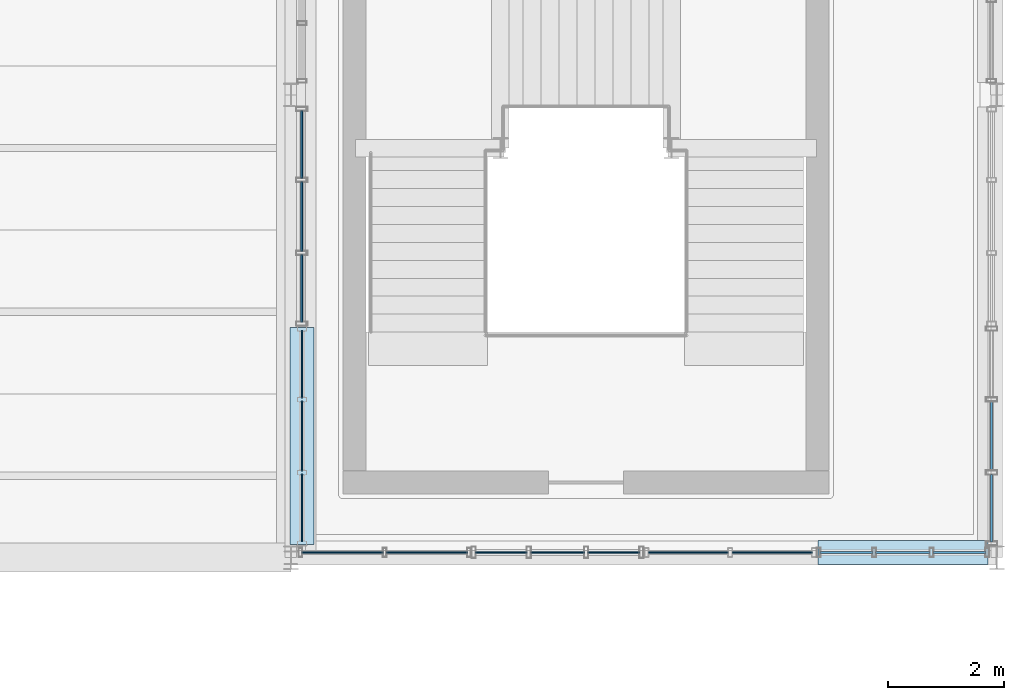
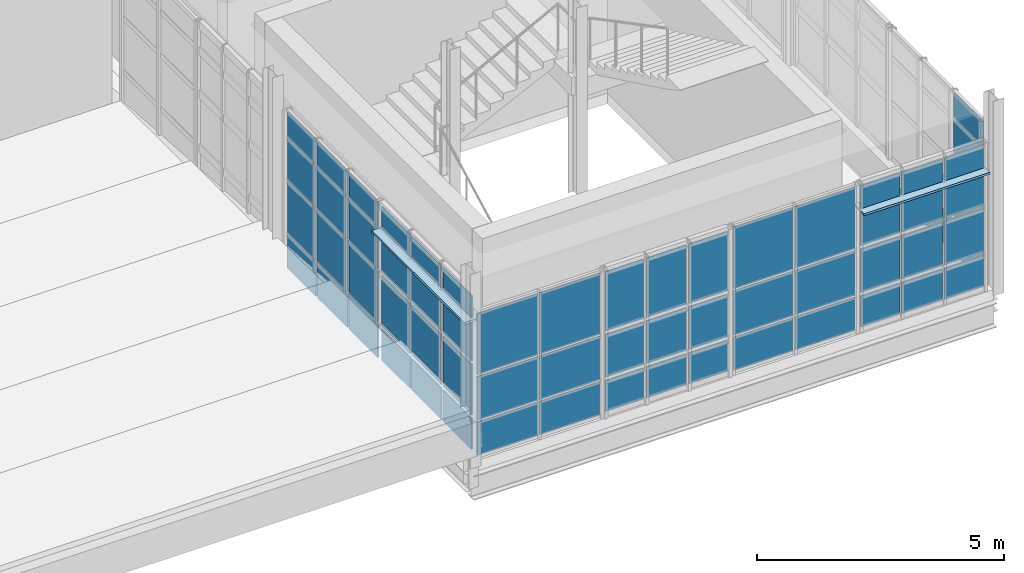
# One storey, part 74 of 100: 61 plates, 7 elements without a shape of their own.
"""IFC4 building model written with IfcOpenShell, lengths in metres."""

import ifcopenshell
import ifcopenshell.guid

model = None  # the IFC model being written
_history = None  # IfcOwnerHistory: only IFC2X3 demands one
_inside = {}  # id of a spatial element -> (the spatial element, [elements in it])
_under = {}  # id of a project, library or spatial element -> (it, [spatial elements below it])
_declared = {}  # id of a project -> (the project, [libraries it declares])
_typed = {}  # id of a type object -> (the type object, [elements of that type])
_made_of = {}  # id of a material, layer set ... -> (it, [elements and type objects made of it])


def new_model(schema):
    """Start an empty IFC model of exactly this schema.

    Asked for "IFC4X3", IfcOpenShell would pick the latest addendum, in which some entities
    have other attributes; the version numbers below select the first issue.
    IFC2X3 requires an IfcOwnerHistory on every rooted entity: one is made here for all.
    """
    global model, _history
    if schema == "IFC4X3":
        model = ifcopenshell.file(schema_version=(4, 3, 0, 0))
    else:
        model = ifcopenshell.file(schema=schema)
    _inside.clear()
    _under.clear()
    _declared.clear()
    _typed.clear()
    _made_of.clear()
    _history = None
    if model.schema == "IFC2X3":
        org = make("IfcOrganization", Name="unknown")
        user = make(
            "IfcPersonAndOrganization",
            ThePerson=make("IfcPerson", FamilyName="unknown"),
            TheOrganization=org,
        )
        app = make(
            "IfcApplication",
            ApplicationDeveloper=org,
            Version="unknown",
            ApplicationFullName="unknown",
            ApplicationIdentifier="unknown",
        )
        _history = make(
            "IfcOwnerHistory",
            OwningUser=user,
            OwningApplication=app,
            ChangeAction="ADDED",
            CreationDate=0,
        )
    return model


def make(cls, **values):
    """One entity of the class cls with the attributes given. An attribute that is None is left unset."""
    return model.create_entity(
        cls, **{name: value for name, value in values.items() if value is not None}
    )


def rooted(cls, **values):
    """An entity with a GlobalId (a new one), such as an element, a storey or a relation."""
    return make(cls, GlobalId=ifcopenshell.guid.new(), OwnerHistory=_history, **values)


def si_unit(unit_type, name, prefix=None):
    """IfcSIUnit, for example si_unit("LENGTHUNIT", "METRE", prefix="MILLI")."""
    return make("IfcSIUnit", UnitType=unit_type, Prefix=prefix, Name=name)


def derived_unit(unit_type, elements):
    """IfcDerivedUnit: a product of units, each with its exponent."""
    return make(
        "IfcDerivedUnit",
        Elements=[
            make("IfcDerivedUnitElement", Unit=unit, Exponent=power)
            for unit, power in elements
        ],
        UnitType=unit_type,
    )


def assignment(units):
    """IfcUnitAssignment: the units of a project."""
    return None if units is None else make("IfcUnitAssignment", Units=units)


def point(xyz):
    """IfcCartesianPoint."""
    return None if xyz is None else make("IfcCartesianPoint", Coordinates=xyz)


def direction(xyz):
    """IfcDirection."""
    return None if xyz is None else make("IfcDirection", DirectionRatios=xyz)


def frame(location, z_axis=None, x_axis=None):
    """IfcAxis2Placement3D, a coordinate frame: its origin and axes. An axis left out is left unset."""
    return make(
        "IfcAxis2Placement3D",
        Location=point(location),
        Axis=direction(z_axis),
        RefDirection=direction(x_axis),
    )


def frame_2d(location, x_axis=None):
    """IfcAxis2Placement2D, a coordinate frame in the plane: its origin and x axis."""
    return make(
        "IfcAxis2Placement2D", Location=point(location), RefDirection=direction(x_axis)
    )


def origin():
    """The frame at (0, 0, 0) with its axes left unset."""
    return frame((0.0, 0.0, 0.0))


def origin_2d():
    """The frame at (0, 0) in the plane with its x axis left unset."""
    return frame_2d((0.0, 0.0))


def place(relative_to, where):
    """IfcLocalPlacement: puts the frame where relative to a parent placement (None: the world)."""
    return make(
        "IfcLocalPlacement", PlacementRelTo=relative_to, RelativePlacement=where
    )


def context(
    kind, dimensions, precision=None, world=None, true_north=None, identifier=None
):
    """IfcGeometricRepresentationContext, for example the 3D "Model" context."""
    return make(
        "IfcGeometricRepresentationContext",
        ContextIdentifier=identifier,
        ContextType=kind,
        CoordinateSpaceDimension=dimensions,
        Precision=precision,
        WorldCoordinateSystem=world,
        TrueNorth=true_north,
    )


def subcontext(parent, identifier, kind, view, scale=None):
    """IfcGeometricRepresentationSubContext, for example "Body" below "Model"."""
    return make(
        "IfcGeometricRepresentationSubContext",
        ContextIdentifier=identifier,
        ContextType=kind,
        ParentContext=parent,
        TargetScale=scale,
        TargetView=view,
    )


def project(units=None, contexts=None):
    """IfcProject with its units and contexts."""
    return rooted(
        "IfcProject",
        Name="project",
        RepresentationContexts=contexts,
        UnitsInContext=assignment(units),
    )


def spatial(cls, under=None, at=None, **own):
    """A site, building, storey or space (cls), placed at a placement, below another one or the project."""
    s = rooted(cls, ObjectPlacement=at, **own)
    if under is not None:
        _under.setdefault(under.id(), (under, []))[1].append(s)
    return s


def profile(cls, at=None, kind="AREA", **sizes):
    """A parametric profile (cls). Its sizes go by their IFC names, for example OverallWidth=200.0."""
    return make(cls, ProfileType=kind, Position=at, **sizes)


def rectangle(**sizes):
    """IfcRectangleProfileDef."""
    return profile("IfcRectangleProfileDef", **sizes)


def extrude(swept, where, along, depth):
    """IfcExtrudedAreaSolid: the profile swept, set in the frame where, extruded along a direction by depth."""
    return make(
        "IfcExtrudedAreaSolid",
        SweptArea=swept,
        Position=where,
        ExtrudedDirection=direction(along),
        Depth=depth,
    )


def shape(context_of_items, identifier, shape_type, items):
    """IfcShapeRepresentation: the items that make up one representation, for example the "Body"."""
    return make(
        "IfcShapeRepresentation",
        ContextOfItems=context_of_items,
        RepresentationIdentifier=identifier,
        RepresentationType=shape_type,
        Items=items,
    )


def material(Name=None, Category=None):
    """IfcMaterial."""
    return make("IfcMaterial", Name=Name, Category=Category)


def layer(
    of_material, thickness, ventilated=None, Name=None, Category=None, Priority=None
):
    """IfcMaterialLayer: one layer of a wall or slab, of a material (None: an air gap)."""
    return make(
        "IfcMaterialLayer",
        Material=of_material,
        LayerThickness=thickness,
        IsVentilated=ventilated,
        Name=Name,
        Category=Category,
        Priority=Priority,
    )


def layer_set(layers, Name=None):
    """IfcMaterialLayerSet."""
    return make("IfcMaterialLayerSet", MaterialLayers=layers, LayerSetName=Name)


def made_of(thing, what):
    """Note that an element or type object is made of a material, layer set ...; save() writes the relation."""
    if what is not None:
        _made_of.setdefault(what.id(), (what, []))[1].append(thing)
    return thing


def type_object(cls, material=None, **own):
    """A type object (cls), such as IfcWallType, which elements share."""
    return made_of(rooted(cls, **own), material)


def element(
    cls,
    number,
    at=None,
    inside=None,
    cuts=None,
    type_object=None,
    material=None,
    context=None,
    identifier="Body",
    shape_type=None,
    held_by="IfcProductDefinitionShape",
    body=None,
    shapes=None,
    **own,
):
    """One element of the class cls, such as IfcWall. Its Tag is "e" and its number.

    at: its placement. inside: the storey or other place that contains it. cuts: it is an
    opening in that element (IfcRelVoidsElement). A single representation is given by context,
    identifier, shape_type and body (its items); several are given by shapes. held_by: the class
    of the entity that holds the representations. save() writes the other relations.
    """
    e = rooted(cls, Tag="e%d" % number, ObjectPlacement=at, **own)
    if body is not None:
        shapes = [shape(context, identifier, shape_type, body)]
    if shapes is not None:
        e.Representation = make(held_by, Representations=shapes)
    if inside is not None:
        _inside.setdefault(inside.id(), (inside, []))[1].append(e)
    if cuts is not None:
        rooted(
            "IfcRelVoidsElement", RelatingBuildingElement=cuts, RelatedOpeningElement=e
        )
    if type_object is not None:
        _typed.setdefault(type_object.id(), (type_object, []))[1].append(e)
    return made_of(e, material)


def aggregate(whole, parts):
    """IfcRelAggregates: a whole, such as a stair, and the parts it consists of."""
    return rooted("IfcRelAggregates", RelatingObject=whole, RelatedObjects=parts)


def save(model, path):
    """Write the relations noted so far, then the file.

    IfcRelAggregates (storeys below a building ...), IfcRelContainedInSpatialStructure (elements
    in a storey), IfcRelDefinesByType, IfcRelAssociatesMaterial and IfcRelDeclares: one each for
    every whole, place, type object, material and project.
    """
    for whole, parts in _under.values():
        aggregate(whole, parts)
    for where, things in _inside.values():
        rooted(
            "IfcRelContainedInSpatialStructure",
            RelatedElements=things,
            RelatingStructure=where,
        )
    for kind, things in _typed.values():
        rooted("IfcRelDefinesByType", RelatedObjects=things, RelatingType=kind)
    for what, things in _made_of.values():
        rooted("IfcRelAssociatesMaterial", RelatedObjects=things, RelatingMaterial=what)
    for by, libraries in _declared.values():
        rooted("IfcRelDeclares", RelatingContext=by, RelatedDefinitions=libraries)
    model.write(path)


model = new_model("IFC4")

# Units and contexts
model_context = context("Model", 3, precision=1e-05, world=origin(), true_north=direction((0.0, 1.0)))
body_context = subcontext(model_context, "Body", "Model", "MODEL_VIEW")
ifc_project = project(units=[si_unit("LENGTHUNIT", "METRE"), si_unit("AREAUNIT", "SQUARE_METRE"), si_unit("VOLUMEUNIT", "CUBIC_METRE"), si_unit("PLANEANGLEUNIT", "RADIAN"), si_unit("MASSUNIT", "GRAM", prefix="KILO"), derived_unit("THERMALTRANSMITTANCEUNIT", [(si_unit("POWERUNIT", "WATT"), 1), (si_unit("LENGTHUNIT", "METRE"), -2), (si_unit("THERMODYNAMICTEMPERATUREUNIT", "KELVIN"), -1)])], contexts=[model_context])

# Site, building, storey
site_placement = place(None, origin())
site = spatial("IfcSite", under=ifc_project, at=site_placement, CompositionType="ELEMENT")
building_placement = place(site_placement, origin())
building = spatial("IfcBuilding", under=site, at=building_placement, Name="Nallur Shell Playhouse", CompositionType="ELEMENT")
storey_placement = place(building_placement, frame((0.0, 0.0, 10.199951171875)))
storey = spatial("IfcBuildingStorey", under=building, at=storey_placement, Name="L03", CompositionType="ELEMENT", Elevation=10.199951171875)

# Curtain wall, plates
ifc_material_1 = material(Name="Anodised Aluminium Double-Glazed Facade System", Category="aluminium")
ifc_layer_1 = layer(ifc_material_1, 0.1640625)
ifc_layer_set_1 = layer_set([ifc_layer_1], Name="Anodised Aluminium Double-Glazed Facade System")
curtain_wall_type_1 = type_object("IfcCurtainWallType", Name="CW-UNIT-25", PredefinedType="NOTDEFINED", material=ifc_layer_set_1)
curtain_wall_1_placement = place(storey_placement, origin())
curtain_wall_1 = element("IfcCurtainWall", 1, at=curtain_wall_1_placement, inside=storey, type_object=curtain_wall_type_1, Name="Unitised curtain wall CW-089 (L03)", PredefinedType="NOTDEFINED")
ifc_material_2 = material(Name="Solar-Control Low-E Laminated Insulating Glass", Category="glass")
ifc_layer_2 = layer(ifc_material_2, 0.02587890625)
ifc_layer_set_2 = layer_set([ifc_layer_2], Name="Solar-Control Low-E Laminated Insulating Glass")
plate_type_1 = type_object("IfcPlateType", Name="PT-GLZ-01", PredefinedType="CURTAIN_PANEL", material=ifc_layer_set_2)
plate_1_placement = place(storey_placement, frame((155.9150390625, 24.090087890625, 0.05712890625), z_axis=(0.0, 0.0, 1.0), x_axis=(-1.0, 0.0, 0.0)))
plate_1 = element("IfcPlate", 2, at=plate_1_placement, type_object=plate_type_1, Name="CW-25 panel 1.1", PredefinedType="CURTAIN_PANEL", context=body_context, shape_type="SweptSolid", body=[
    extrude(rectangle(XDim=1.3828125, YDim=0.02587890625, at=origin_2d()), origin(), (0.0, 0.0, 1.0), 0.818603515625),
])
plate_2_placement = place(storey_placement, frame((155.9150390625, 24.090087890625, 0.9248046875), z_axis=(0.0, 0.0, 1.0), x_axis=(-1.0, 0.0, 0.0)))
plate_2 = element("IfcPlate", 3, at=plate_2_placement, type_object=plate_type_1, Name="CW-25 panel 1.2", PredefinedType="CURTAIN_PANEL", context=body_context, shape_type="SweptSolid", body=[
    extrude(rectangle(XDim=1.3828125, YDim=0.02587890625, at=origin_2d()), origin(), (0.0, 0.0, 1.0), 1.097900390625),
])
plate_3_placement = place(storey_placement, frame((155.9150390625, 24.090087890625, 2.0712890625), z_axis=(0.0, 0.0, 1.0), x_axis=(-1.0, 0.0, 0.0)))
plate_3 = element("IfcPlate", 4, at=plate_3_placement, type_object=plate_type_1, Name="CW-25 panel 1.3", PredefinedType="CURTAIN_PANEL", context=body_context, shape_type="SweptSolid", body=[
    extrude(rectangle(XDim=1.3828125, YDim=0.02587890625, at=origin_2d()), origin(), (0.0, 0.0, 1.0), 1.526611328125),
])
plate_4_placement = place(storey_placement, frame((154.46826171875, 24.090087890625, 0.05712890625), z_axis=(0.0, 0.0, 1.0), x_axis=(-1.0, 0.0, 0.0)))
plate_4 = element("IfcPlate", 5, at=plate_4_placement, type_object=plate_type_1, Name="CW-25 panel 2.1", PredefinedType="CURTAIN_PANEL", context=body_context, shape_type="SweptSolid", body=[
    extrude(rectangle(XDim=1.3828125, YDim=0.02587890625, at=origin_2d()), origin(), (0.0, 0.0, 1.0), 0.818603515625),
])
plate_5_placement = place(storey_placement, frame((154.46826171875, 24.090087890625, 0.9248046875), z_axis=(0.0, 0.0, 1.0), x_axis=(-1.0, 0.0, 0.0)))
plate_5 = element("IfcPlate", 6, at=plate_5_placement, type_object=plate_type_1, Name="CW-25 panel 2.2", PredefinedType="CURTAIN_PANEL", context=body_context, shape_type="SweptSolid", body=[
    extrude(rectangle(XDim=1.3828125, YDim=0.02587890625, at=origin_2d()), origin(), (0.0, 0.0, 1.0), 1.097900390625),
])
plate_6_placement = place(storey_placement, frame((154.46826171875, 24.090087890625, 2.0712890625), z_axis=(0.0, 0.0, 1.0), x_axis=(-1.0, 0.0, 0.0)))
plate_6 = element("IfcPlate", 7, at=plate_6_placement, type_object=plate_type_1, Name="CW-25 panel 2.3", PredefinedType="CURTAIN_PANEL", context=body_context, shape_type="SweptSolid", body=[
    extrude(rectangle(XDim=1.3828125, YDim=0.02587890625, at=origin_2d()), origin(), (0.0, 0.0, 1.0), 1.526611328125),
])
aggregate(curtain_wall_1, [plate_1, plate_2, plate_3, plate_4, plate_5, plate_6])

ifc_layer_3 = layer(ifc_material_1, 0.16796875)
ifc_layer_set_3 = layer_set([ifc_layer_3], Name="Anodised Aluminium Double-Glazed Facade System")
curtain_wall_type_2 = type_object("IfcCurtainWallType", Name="CW-UNIT-26", PredefinedType="NOTDEFINED", material=ifc_layer_set_3)
curtain_wall_2_placement = place(storey_placement, origin())
curtain_wall_2 = element("IfcCurtainWall", 8, at=curtain_wall_2_placement, inside=storey, type_object=curtain_wall_type_2, Name="Unitised curtain wall CW-090 (L03)", PredefinedType="NOTDEFINED")
ifc_layer_4 = layer(ifc_material_2, 0.028076171875)
ifc_layer_set_4 = layer_set([ifc_layer_4], Name="Solar-Control Low-E Laminated Insulating Glass")
plate_type_2 = type_object("IfcPlateType", Name="PT-GLZ-02", PredefinedType="CURTAIN_PANEL", material=ifc_layer_set_4)
plate_7_placement = place(storey_placement, frame((153.1806640625, 24.090087890625, 0.092041015625), z_axis=(0.0, 0.0, 1.0), x_axis=(-1.0, 0.0, 0.0)))
plate_7 = element("IfcPlate", 9, at=plate_7_placement, type_object=plate_type_2, Name="CW-26 panel 1.1", PredefinedType="CURTAIN_PANEL", context=body_context, shape_type="SweptSolid", body=[
    extrude(rectangle(XDim=0.894775390625, YDim=0.028076171875, at=origin_2d()), origin(), (0.0, 0.0, 1.0), 0.76611328125),
])
plate_8_placement = place(storey_placement, frame((153.1806640625, 24.090087890625, 0.94189453125), z_axis=(0.0, 0.0, 1.0), x_axis=(-1.0, 0.0, 0.0)))
plate_8 = element("IfcPlate", 10, at=plate_8_placement, type_object=plate_type_2, Name="CW-26 panel 1.2", PredefinedType="CURTAIN_PANEL", context=body_context, shape_type="SweptSolid", body=[
    extrude(rectangle(XDim=0.894775390625, YDim=0.028076171875, at=origin_2d()), origin(), (0.0, 0.0, 1.0), 1.052001953125),
])
plate_9_placement = place(storey_placement, frame((153.1806640625, 24.090087890625, 2.078125), z_axis=(0.0, 0.0, 1.0), x_axis=(-1.0, 0.0, 0.0)))
plate_9 = element("IfcPlate", 11, at=plate_9_placement, type_object=plate_type_2, Name="CW-26 panel 1.3", PredefinedType="CURTAIN_PANEL", context=body_context, shape_type="SweptSolid", body=[
    extrude(rectangle(XDim=0.894775390625, YDim=0.028076171875, at=origin_2d()), origin(), (0.0, 0.0, 1.0), 1.465087890625),
])
plate_10_placement = place(storey_placement, frame((152.208251953125, 24.090087890625, 0.092041015625), z_axis=(0.0, 0.0, 1.0), x_axis=(-1.0, 0.0, 0.0)))
plate_10 = element("IfcPlate", 12, at=plate_10_placement, type_object=plate_type_2, Name="CW-26 panel 2.1", PredefinedType="CURTAIN_PANEL", context=body_context, shape_type="SweptSolid", body=[
    extrude(rectangle(XDim=0.93212890625, YDim=0.028076171875, at=origin_2d()), origin(), (0.0, 0.0, 1.0), 0.76611328125),
])
plate_11_placement = place(storey_placement, frame((152.208251953125, 24.090087890625, 0.94189453125), z_axis=(0.0, 0.0, 1.0), x_axis=(-1.0, 0.0, 0.0)))
plate_11 = element("IfcPlate", 13, at=plate_11_placement, type_object=plate_type_2, Name="CW-26 panel 2.2", PredefinedType="CURTAIN_PANEL", context=body_context, shape_type="SweptSolid", body=[
    extrude(rectangle(XDim=0.93212890625, YDim=0.028076171875, at=origin_2d()), origin(), (0.0, 0.0, 1.0), 1.052001953125),
])
plate_12_placement = place(storey_placement, frame((152.208251953125, 24.090087890625, 2.078125), z_axis=(0.0, 0.0, 1.0), x_axis=(-1.0, 0.0, 0.0)))
plate_12 = element("IfcPlate", 14, at=plate_12_placement, type_object=plate_type_2, Name="CW-26 panel 2.3", PredefinedType="CURTAIN_PANEL", context=body_context, shape_type="SweptSolid", body=[
    extrude(rectangle(XDim=0.93212890625, YDim=0.028076171875, at=origin_2d()), origin(), (0.0, 0.0, 1.0), 1.465087890625),
])
plate_13_placement = place(storey_placement, frame((151.23583984375, 24.090087890625, 0.092041015625), z_axis=(0.0, 0.0, 1.0), x_axis=(-1.0, 0.0, 0.0)))
plate_13 = element("IfcPlate", 15, at=plate_13_placement, type_object=plate_type_2, Name="CW-26 panel 3.1", PredefinedType="CURTAIN_PANEL", context=body_context, shape_type="SweptSolid", body=[
    extrude(rectangle(XDim=0.894775390625, YDim=0.028076171875, at=origin_2d()), origin(), (0.0, 0.0, 1.0), 0.76611328125),
])
plate_14_placement = place(storey_placement, frame((151.23583984375, 24.090087890625, 0.94189453125), z_axis=(0.0, 0.0, 1.0), x_axis=(-1.0, 0.0, 0.0)))
plate_14 = element("IfcPlate", 16, at=plate_14_placement, type_object=plate_type_2, Name="CW-26 panel 3.2", PredefinedType="CURTAIN_PANEL", context=body_context, shape_type="SweptSolid", body=[
    extrude(rectangle(XDim=0.894775390625, YDim=0.028076171875, at=origin_2d()), origin(), (0.0, 0.0, 1.0), 1.052001953125),
])
plate_15_placement = place(storey_placement, frame((151.23583984375, 24.090087890625, 2.078125), z_axis=(0.0, 0.0, 1.0), x_axis=(-1.0, 0.0, 0.0)))
plate_15 = element("IfcPlate", 17, at=plate_15_placement, type_object=plate_type_2, Name="CW-26 panel 3.3", PredefinedType="CURTAIN_PANEL", context=body_context, shape_type="SweptSolid", body=[
    extrude(rectangle(XDim=0.894775390625, YDim=0.028076171875, at=origin_2d()), origin(), (0.0, 0.0, 1.0), 1.465087890625),
])
aggregate(curtain_wall_2, [plate_7, plate_8, plate_9, plate_10, plate_11, plate_12, plate_13, plate_14, plate_15])

ifc_layer_5 = layer(ifc_material_1, 0.172119140625)
ifc_layer_set_5 = layer_set([ifc_layer_5], Name="Anodised Aluminium Double-Glazed Facade System")
curtain_wall_type_3 = type_object("IfcCurtainWallType", Name="CW-UNIT-27", PredefinedType="NOTDEFINED", material=ifc_layer_set_5)
curtain_wall_3_placement = place(storey_placement, origin())
curtain_wall_3 = element("IfcCurtainWall", 18, at=curtain_wall_3_placement, inside=storey, type_object=curtain_wall_type_3, Name="Unitised curtain wall CW-091 (L03)", PredefinedType="NOTDEFINED")
ifc_layer_6 = layer(ifc_material_2, 0.030029296875)
ifc_layer_set_6 = layer_set([ifc_layer_6], Name="Solar-Control Low-E Laminated Insulating Glass")
plate_type_3 = type_object("IfcPlateType", Name="PT-GLZ-03", PredefinedType="CURTAIN_PANEL", material=ifc_layer_set_6)
plate_16_placement = place(storey_placement, frame((149.95068359375, 24.090087890625, 0.05712890625), z_axis=(0.0, 0.0, 1.0), x_axis=(-1.0, 0.0, 0.0)))
plate_16 = element("IfcPlate", 19, at=plate_16_placement, type_object=plate_type_3, Name="CW-27 panel 1.1", PredefinedType="CURTAIN_PANEL", context=body_context, shape_type="SweptSolid", body=[
    extrude(rectangle(XDim=1.40771484375, YDim=0.030029296875, at=origin_2d()), origin(), (0.0, 0.0, 1.0), 0.818603515625),
])
plate_17_placement = place(storey_placement, frame((149.95068359375, 24.090087890625, 0.9248046875), z_axis=(0.0, 0.0, 1.0), x_axis=(-1.0, 0.0, 0.0)))
plate_17 = element("IfcPlate", 20, at=plate_17_placement, type_object=plate_type_3, Name="CW-27 panel 1.2", PredefinedType="CURTAIN_PANEL", context=body_context, shape_type="SweptSolid", body=[
    extrude(rectangle(XDim=1.40771484375, YDim=0.030029296875, at=origin_2d()), origin(), (0.0, 0.0, 1.0), 1.074951171875),
])
plate_18_placement = place(storey_placement, frame((149.95068359375, 24.090087890625, 2.04833984375), z_axis=(0.0, 0.0, 1.0), x_axis=(-1.0, 0.0, 0.0)))
plate_18 = element("IfcPlate", 21, at=plate_18_placement, type_object=plate_type_3, Name="CW-27 panel 1.3", PredefinedType="CURTAIN_PANEL", context=body_context, shape_type="SweptSolid", body=[
    extrude(rectangle(XDim=1.40771484375, YDim=0.030029296875, at=origin_2d()), origin(), (0.0, 0.0, 1.0), 1.509521484375),
])
plate_19_placement = place(storey_placement, frame((148.493896484375, 24.090087890625, 0.05712890625), z_axis=(0.0, 0.0, 1.0), x_axis=(-1.0, 0.0, 0.0)))
plate_19 = element("IfcPlate", 22, at=plate_19_placement, type_object=plate_type_3, Name="CW-27 panel 2.1", PredefinedType="CURTAIN_PANEL", context=body_context, shape_type="SweptSolid", body=[
    extrude(rectangle(XDim=1.40771484375, YDim=0.030029296875, at=origin_2d()), origin(), (0.0, 0.0, 1.0), 0.818603515625),
])
plate_20_placement = place(storey_placement, frame((148.493896484375, 24.090087890625, 0.9248046875), z_axis=(0.0, 0.0, 1.0), x_axis=(-1.0, 0.0, 0.0)))
plate_20 = element("IfcPlate", 23, at=plate_20_placement, type_object=plate_type_3, Name="CW-27 panel 2.2", PredefinedType="CURTAIN_PANEL", context=body_context, shape_type="SweptSolid", body=[
    extrude(rectangle(XDim=1.40771484375, YDim=0.030029296875, at=origin_2d()), origin(), (0.0, 0.0, 1.0), 1.074951171875),
])
plate_21_placement = place(storey_placement, frame((148.493896484375, 24.090087890625, 2.04833984375), z_axis=(0.0, 0.0, 1.0), x_axis=(-1.0, 0.0, 0.0)))
plate_21 = element("IfcPlate", 24, at=plate_21_placement, type_object=plate_type_3, Name="CW-27 panel 2.3", PredefinedType="CURTAIN_PANEL", context=body_context, shape_type="SweptSolid", body=[
    extrude(rectangle(XDim=1.40771484375, YDim=0.030029296875, at=origin_2d()), origin(), (0.0, 0.0, 1.0), 1.509521484375),
])
aggregate(curtain_wall_3, [plate_16, plate_17, plate_18, plate_19, plate_20, plate_21])

ifc_layer_7 = layer(ifc_material_1, 0.176025390625)
ifc_layer_set_7 = layer_set([ifc_layer_7], Name="Anodised Aluminium Double-Glazed Facade System")
curtain_wall_type_4 = type_object("IfcCurtainWallType", Name="CW-UNIT-28", PredefinedType="NOTDEFINED", material=ifc_layer_set_7)
curtain_wall_4_placement = place(storey_placement, origin())
curtain_wall_4 = element("IfcCurtainWall", 25, at=curtain_wall_4_placement, inside=storey, type_object=curtain_wall_type_4, Name="Unitised curtain wall CW-092 (L03)", PredefinedType="NOTDEFINED")
ifc_layer_8 = layer(ifc_material_2, 0.031982421875)
ifc_layer_set_8 = layer_set([ifc_layer_8], Name="Solar-Control Low-E Laminated Insulating Glass")
plate_type_4 = type_object("IfcPlateType", Name="PT-GLZ-04", PredefinedType="CURTAIN_PANEL", material=ifc_layer_set_8)
plate_22_placement = place(storey_placement, frame((147.7900390625, 24.859130859375, 0.092041015625), z_axis=(0.0, 0.0, 1.0), x_axis=(0.0, 1.0, 0.0)))
plate_22 = element("IfcPlate", 26, at=plate_22_placement, type_object=plate_type_4, Name="CW-28 panel 1.1", PredefinedType="CURTAIN_PANEL", context=body_context, shape_type="SweptSolid", body=[
    extrude(rectangle(XDim=1.158447265625, YDim=0.031982421875, at=origin_2d()), origin(), (0.0, 0.0, 1.0), 0.76611328125),
])
plate_23_placement = place(storey_placement, frame((147.7900390625, 24.859130859375, 0.94189453125), z_axis=(0.0, 0.0, 1.0), x_axis=(0.0, 1.0, 0.0)))
plate_23 = element("IfcPlate", 27, at=plate_23_placement, type_object=plate_type_4, Name="CW-28 panel 1.2", PredefinedType="CURTAIN_PANEL", context=body_context, shape_type="SweptSolid", body=[
    extrude(rectangle(XDim=1.158447265625, YDim=0.031982421875, at=origin_2d()), origin(), (0.0, 0.0, 1.0), 1.241943359375),
])
plate_24_placement = place(storey_placement, frame((147.7900390625, 24.859130859375, 2.26806640625), z_axis=(0.0, 0.0, 1.0), x_axis=(0.0, 1.0, 0.0)))
plate_24 = element("IfcPlate", 28, at=plate_24_placement, type_object=plate_type_4, Name="CW-28 panel 1.3", PredefinedType="CURTAIN_PANEL", context=body_context, shape_type="SweptSolid", body=[
    extrude(rectangle(XDim=1.158447265625, YDim=0.031982421875, at=origin_2d()), origin(), (0.0, 0.0, 1.0), 0.985107421875),
])
plate_25_placement = place(storey_placement, frame((147.7900390625, 24.859130859375, 3.337158203125), z_axis=(0.0, 0.0, 1.0), x_axis=(0.0, 1.0, 0.0)))
plate_25 = element("IfcPlate", 29, at=plate_25_placement, type_object=plate_type_4, Name="CW-28 panel 1.4", PredefinedType="CURTAIN_PANEL", context=body_context, shape_type="SweptSolid", body=[
    extrude(rectangle(XDim=1.158447265625, YDim=0.031982421875, at=origin_2d()), origin(), (0.0, 0.0, 1.0), 0.5458984375),
])
plate_26_placement = place(storey_placement, frame((147.7900390625, 26.1015625, 0.092041015625), z_axis=(0.0, 0.0, 1.0), x_axis=(0.0, 1.0, 0.0)))
plate_26 = element("IfcPlate", 30, at=plate_26_placement, type_object=plate_type_4, Name="CW-28 panel 2.1", PredefinedType="CURTAIN_PANEL", context=body_context, shape_type="SweptSolid", body=[
    extrude(rectangle(XDim=1.1982421875, YDim=0.031982421875, at=origin_2d()), origin(), (0.0, 0.0, 1.0), 0.76611328125),
])
plate_27_placement = place(storey_placement, frame((147.7900390625, 26.1015625, 0.94189453125), z_axis=(0.0, 0.0, 1.0), x_axis=(0.0, 1.0, 0.0)))
plate_27 = element("IfcPlate", 31, at=plate_27_placement, type_object=plate_type_4, Name="CW-28 panel 2.2", PredefinedType="CURTAIN_PANEL", context=body_context, shape_type="SweptSolid", body=[
    extrude(rectangle(XDim=1.1982421875, YDim=0.031982421875, at=origin_2d()), origin(), (0.0, 0.0, 1.0), 1.241943359375),
])
plate_28_placement = place(storey_placement, frame((147.7900390625, 26.1015625, 2.26806640625), z_axis=(0.0, 0.0, 1.0), x_axis=(0.0, 1.0, 0.0)))
plate_28 = element("IfcPlate", 32, at=plate_28_placement, type_object=plate_type_4, Name="CW-28 panel 2.3", PredefinedType="CURTAIN_PANEL", context=body_context, shape_type="SweptSolid", body=[
    extrude(rectangle(XDim=1.1982421875, YDim=0.031982421875, at=origin_2d()), origin(), (0.0, 0.0, 1.0), 0.985107421875),
])
plate_29_placement = place(storey_placement, frame((147.7900390625, 26.1015625, 3.337158203125), z_axis=(0.0, 0.0, 1.0), x_axis=(0.0, 1.0, 0.0)))
plate_29 = element("IfcPlate", 33, at=plate_29_placement, type_object=plate_type_4, Name="CW-28 panel 2.4", PredefinedType="CURTAIN_PANEL", context=body_context, shape_type="SweptSolid", body=[
    extrude(rectangle(XDim=1.1982421875, YDim=0.031982421875, at=origin_2d()), origin(), (0.0, 0.0, 1.0), 0.5458984375),
])
plate_30_placement = place(storey_placement, frame((147.7900390625, 27.34375, 0.092041015625), z_axis=(0.0, 0.0, 1.0), x_axis=(0.0, 1.0, 0.0)))
plate_30 = element("IfcPlate", 34, at=plate_30_placement, type_object=plate_type_4, Name="CW-28 panel 3.1", PredefinedType="CURTAIN_PANEL", context=body_context, shape_type="SweptSolid", body=[
    extrude(rectangle(XDim=1.158447265625, YDim=0.031982421875, at=origin_2d()), origin(), (0.0, 0.0, 1.0), 0.76611328125),
])
plate_31_placement = place(storey_placement, frame((147.7900390625, 27.34375, 0.94189453125), z_axis=(0.0, 0.0, 1.0), x_axis=(0.0, 1.0, 0.0)))
plate_31 = element("IfcPlate", 35, at=plate_31_placement, type_object=plate_type_4, Name="CW-28 panel 3.2", PredefinedType="CURTAIN_PANEL", context=body_context, shape_type="SweptSolid", body=[
    extrude(rectangle(XDim=1.158447265625, YDim=0.031982421875, at=origin_2d()), origin(), (0.0, 0.0, 1.0), 1.241943359375),
])
plate_32_placement = place(storey_placement, frame((147.7900390625, 27.34375, 2.26806640625), z_axis=(0.0, 0.0, 1.0), x_axis=(0.0, 1.0, 0.0)))
plate_32 = element("IfcPlate", 36, at=plate_32_placement, type_object=plate_type_4, Name="CW-28 panel 3.3", PredefinedType="CURTAIN_PANEL", context=body_context, shape_type="SweptSolid", body=[
    extrude(rectangle(XDim=1.158447265625, YDim=0.031982421875, at=origin_2d()), origin(), (0.0, 0.0, 1.0), 0.985107421875),
])
plate_33_placement = place(storey_placement, frame((147.7900390625, 27.34375, 3.337158203125), z_axis=(0.0, 0.0, 1.0), x_axis=(0.0, 1.0, 0.0)))
plate_33 = element("IfcPlate", 37, at=plate_33_placement, type_object=plate_type_4, Name="CW-28 panel 3.4", PredefinedType="CURTAIN_PANEL", context=body_context, shape_type="SweptSolid", body=[
    extrude(rectangle(XDim=1.158447265625, YDim=0.031982421875, at=origin_2d()), origin(), (0.0, 0.0, 1.0), 0.5458984375),
])
aggregate(curtain_wall_4, [plate_22, plate_23, plate_24, plate_25, plate_26, plate_27, plate_28, plate_29, plate_30, plate_31, plate_32, plate_33])

ifc_layer_9 = layer(ifc_material_1, 0.179931640625)
ifc_layer_set_9 = layer_set([ifc_layer_9], Name="Anodised Aluminium Double-Glazed Facade System")
curtain_wall_type_5 = type_object("IfcCurtainWallType", Name="CW-UNIT-29", PredefinedType="NOTDEFINED", material=ifc_layer_set_9)
curtain_wall_5_placement = place(storey_placement, origin())
curtain_wall_5 = element("IfcCurtainWall", 38, at=curtain_wall_5_placement, inside=storey, type_object=curtain_wall_type_5, Name="Unitised curtain wall CW-093 (L03)", PredefinedType="NOTDEFINED")
ifc_layer_10 = layer(ifc_material_2, 0.033935546875)
ifc_layer_set_10 = layer_set([ifc_layer_10], Name="Solar-Control Low-E Laminated Insulating Glass")
plate_type_5 = type_object("IfcPlateType", Name="PT-GLZ-05", PredefinedType="CURTAIN_PANEL", material=ifc_layer_set_10)
plate_34_placement = place(storey_placement, frame((147.7900390625, 28.655029296875, 0.05712890625), z_axis=(0.0, 0.0, 1.0), x_axis=(0.0, 1.0, 0.0)))
plate_34 = element("IfcPlate", 39, at=plate_34_placement, type_object=plate_type_5, Name="CW-29 panel 1.1", PredefinedType="CURTAIN_PANEL", context=body_context, shape_type="SweptSolid", body=[
    extrude(rectangle(XDim=1.165771484375, YDim=0.033935546875, at=origin_2d()), origin(), (0.0, 0.0, 1.0), 0.818603515625),
])
plate_35_placement = place(storey_placement, frame((147.7900390625, 28.655029296875, 0.924560546875), z_axis=(0.0, 0.0, 1.0), x_axis=(0.0, 1.0, 0.0)))
plate_35 = element("IfcPlate", 40, at=plate_35_placement, type_object=plate_type_5, Name="CW-29 panel 1.2", PredefinedType="CURTAIN_PANEL", context=body_context, shape_type="SweptSolid", body=[
    extrude(rectangle(XDim=1.165771484375, YDim=0.033935546875, at=origin_2d()), origin(), (0.0, 0.0, 1.0), 1.26611328125),
])
plate_36_placement = place(storey_placement, frame((147.7900390625, 28.655029296875, 2.23974609375), z_axis=(0.0, 0.0, 1.0), x_axis=(0.0, 1.0, 0.0)))
plate_36 = element("IfcPlate", 41, at=plate_36_placement, type_object=plate_type_5, Name="CW-29 panel 1.3", PredefinedType="CURTAIN_PANEL", context=body_context, shape_type="SweptSolid", body=[
    extrude(rectangle(XDim=1.165771484375, YDim=0.033935546875, at=origin_2d()), origin(), (0.0, 0.0, 1.0), 1.010986328125),
])
plate_37_placement = place(storey_placement, frame((147.7900390625, 28.655029296875, 3.2998046875), z_axis=(0.0, 0.0, 1.0), x_axis=(0.0, 1.0, 0.0)))
plate_37 = element("IfcPlate", 42, at=plate_37_placement, type_object=plate_type_5, Name="CW-29 panel 1.4", PredefinedType="CURTAIN_PANEL", context=body_context, shape_type="SweptSolid", body=[
    extrude(rectangle(XDim=1.165771484375, YDim=0.033935546875, at=origin_2d()), origin(), (0.0, 0.0, 1.0), 0.598388671875),
])
plate_38_placement = place(storey_placement, frame((147.7900390625, 29.8984375, 0.05712890625), z_axis=(0.0, 0.0, 1.0), x_axis=(0.0, 1.0, 0.0)))
plate_38 = element("IfcPlate", 43, at=plate_38_placement, type_object=plate_type_5, Name="CW-29 panel 2.1", PredefinedType="CURTAIN_PANEL", context=body_context, shape_type="SweptSolid", body=[
    extrude(rectangle(XDim=1.203369140625, YDim=0.033935546875, at=origin_2d()), origin(), (0.0, 0.0, 1.0), 0.818603515625),
])
plate_39_placement = place(storey_placement, frame((147.7900390625, 29.8984375, 0.924560546875), z_axis=(0.0, 0.0, 1.0), x_axis=(0.0, 1.0, 0.0)))
plate_39 = element("IfcPlate", 44, at=plate_39_placement, type_object=plate_type_5, Name="CW-29 panel 2.2", PredefinedType="CURTAIN_PANEL", context=body_context, shape_type="SweptSolid", body=[
    extrude(rectangle(XDim=1.203369140625, YDim=0.033935546875, at=origin_2d()), origin(), (0.0, 0.0, 1.0), 1.26611328125),
])
plate_40_placement = place(storey_placement, frame((147.7900390625, 29.8984375, 2.23974609375), z_axis=(0.0, 0.0, 1.0), x_axis=(0.0, 1.0, 0.0)))
plate_40 = element("IfcPlate", 45, at=plate_40_placement, type_object=plate_type_5, Name="CW-29 panel 2.3", PredefinedType="CURTAIN_PANEL", context=body_context, shape_type="SweptSolid", body=[
    extrude(rectangle(XDim=1.203369140625, YDim=0.033935546875, at=origin_2d()), origin(), (0.0, 0.0, 1.0), 1.010986328125),
])
plate_41_placement = place(storey_placement, frame((147.7900390625, 29.8984375, 3.2998046875), z_axis=(0.0, 0.0, 1.0), x_axis=(0.0, 1.0, 0.0)))
plate_41 = element("IfcPlate", 46, at=plate_41_placement, type_object=plate_type_5, Name="CW-29 panel 2.4", PredefinedType="CURTAIN_PANEL", context=body_context, shape_type="SweptSolid", body=[
    extrude(rectangle(XDim=1.203369140625, YDim=0.033935546875, at=origin_2d()), origin(), (0.0, 0.0, 1.0), 0.598388671875),
])
plate_42_placement = place(storey_placement, frame((147.7900390625, 31.14208984375, 0.05712890625), z_axis=(0.0, 0.0, 1.0), x_axis=(0.0, 1.0, 0.0)))
plate_42 = element("IfcPlate", 47, at=plate_42_placement, type_object=plate_type_5, Name="CW-29 panel 3.1", PredefinedType="CURTAIN_PANEL", context=body_context, shape_type="SweptSolid", body=[
    extrude(rectangle(XDim=1.165771484375, YDim=0.033935546875, at=origin_2d()), origin(), (0.0, 0.0, 1.0), 0.818603515625),
])
plate_43_placement = place(storey_placement, frame((147.7900390625, 31.14208984375, 0.924560546875), z_axis=(0.0, 0.0, 1.0), x_axis=(0.0, 1.0, 0.0)))
plate_43 = element("IfcPlate", 48, at=plate_43_placement, type_object=plate_type_5, Name="CW-29 panel 3.2", PredefinedType="CURTAIN_PANEL", context=body_context, shape_type="SweptSolid", body=[
    extrude(rectangle(XDim=1.165771484375, YDim=0.033935546875, at=origin_2d()), origin(), (0.0, 0.0, 1.0), 1.26611328125),
])
plate_44_placement = place(storey_placement, frame((147.7900390625, 31.14208984375, 2.23974609375), z_axis=(0.0, 0.0, 1.0), x_axis=(0.0, 1.0, 0.0)))
plate_44 = element("IfcPlate", 49, at=plate_44_placement, type_object=plate_type_5, Name="CW-29 panel 3.3", PredefinedType="CURTAIN_PANEL", context=body_context, shape_type="SweptSolid", body=[
    extrude(rectangle(XDim=1.165771484375, YDim=0.033935546875, at=origin_2d()), origin(), (0.0, 0.0, 1.0), 1.010986328125),
])
plate_45_placement = place(storey_placement, frame((147.7900390625, 31.14208984375, 3.2998046875), z_axis=(0.0, 0.0, 1.0), x_axis=(0.0, 1.0, 0.0)))
plate_45 = element("IfcPlate", 50, at=plate_45_placement, type_object=plate_type_5, Name="CW-29 panel 3.4", PredefinedType="CURTAIN_PANEL", context=body_context, shape_type="SweptSolid", body=[
    extrude(rectangle(XDim=1.165771484375, YDim=0.033935546875, at=origin_2d()), origin(), (0.0, 0.0, 1.0), 0.598388671875),
])
aggregate(curtain_wall_5, [plate_34, plate_35, plate_36, plate_37, plate_38, plate_39, plate_40, plate_41, plate_42, plate_43, plate_44, plate_45])

ifc_layer_11 = layer(ifc_material_1, 0.179931640625)
ifc_layer_set_11 = layer_set([ifc_layer_11], Name="Anodised Aluminium Double-Glazed Facade System")
curtain_wall_type_6 = type_object("IfcCurtainWallType", Name="CW-UNIT-23", PredefinedType="NOTDEFINED", material=ifc_layer_set_11)
curtain_wall_6_placement = place(storey_placement, origin())
curtain_wall_6 = element("IfcCurtainWall", 51, at=curtain_wall_6_placement, inside=storey, type_object=curtain_wall_type_6, Name="Unitised curtain wall CW-087 (L03)", PredefinedType="NOTDEFINED")
ifc_layer_12 = layer(ifc_material_2, 0.0380859375)
ifc_layer_set_12 = layer_set([ifc_layer_12], Name="Solar-Control Low-E Laminated Insulating Glass")
plate_type_6 = type_object("IfcPlateType", Name="PT-GLZ-07", PredefinedType="CURTAIN_PANEL", material=ifc_layer_set_12)
plate_46_placement = place(storey_placement, frame((159.7099609375, 26.1015625, 0.05712890625), z_axis=(0.0, 0.0, 1.0), x_axis=(0.0, -1.0, 0.0)))
plate_46 = element("IfcPlate", 52, at=plate_46_placement, type_object=plate_type_6, Name="CW-23 panel 2.1", PredefinedType="CURTAIN_PANEL", context=body_context, shape_type="SweptSolid", body=[
    extrude(rectangle(XDim=1.203369140625, YDim=0.0380859375, at=origin_2d()), origin(), (0.0, 0.0, 1.0), 0.818603515625),
])
plate_47_placement = place(storey_placement, frame((159.7099609375, 24.85791015625, 0.05712890625), z_axis=(0.0, 0.0, 1.0), x_axis=(0.0, -1.0, 0.0)))
plate_47 = element("IfcPlate", 53, at=plate_47_placement, type_object=plate_type_6, Name="CW-23 panel 3.1", PredefinedType="CURTAIN_PANEL", context=body_context, shape_type="SweptSolid", body=[
    extrude(rectangle(XDim=1.165771484375, YDim=0.0380859375, at=origin_2d()), origin(), (0.0, 0.0, 1.0), 0.818603515625),
])
plate_48_placement = place(storey_placement, frame((159.7099609375, 24.85791015625, 0.9248046875), z_axis=(0.0, 0.0, 1.0), x_axis=(0.0, -1.0, 0.0)))
plate_48 = element("IfcPlate", 54, at=plate_48_placement, type_object=plate_type_6, Name="CW-23 panel 3.2", PredefinedType="CURTAIN_PANEL", context=body_context, shape_type="SweptSolid", body=[
    extrude(rectangle(XDim=1.165771484375, YDim=0.0380859375, at=origin_2d()), origin(), (0.0, 0.0, 1.0), 1.326904296875),
])
plate_49_placement = place(storey_placement, frame((159.7099609375, 24.85791015625, 2.300537109375), z_axis=(0.0, 0.0, 1.0), x_axis=(0.0, -1.0, 0.0)))
plate_49 = element("IfcPlate", 55, at=plate_49_placement, type_object=plate_type_6, Name="CW-23 panel 3.3", PredefinedType="CURTAIN_PANEL", context=body_context, shape_type="SweptSolid", body=[
    extrude(rectangle(XDim=1.165771484375, YDim=0.0380859375, at=origin_2d()), origin(), (0.0, 0.0, 1.0), 1.06005859375),
])
plate_50_placement = place(storey_placement, frame((159.7099609375, 24.85791015625, 3.40966796875), z_axis=(0.0, 0.0, 1.0), x_axis=(0.0, -1.0, 0.0)))
plate_50 = element("IfcPlate", 56, at=plate_50_placement, type_object=plate_type_6, Name="CW-23 panel 3.4", PredefinedType="CURTAIN_PANEL", context=body_context, shape_type="SweptSolid", body=[
    extrude(rectangle(XDim=1.165771484375, YDim=0.0380859375, at=origin_2d()), origin(), (0.0, 0.0, 1.0), 0.598388671875),
])
aggregate(curtain_wall_6, [plate_46, plate_47, plate_48, plate_49, plate_50])

ifc_layer_13 = layer(ifc_material_1, 0.159912109375)
ifc_layer_set_13 = layer_set([ifc_layer_13], Name="Anodised Aluminium Double-Glazed Facade System")
curtain_wall_type_7 = type_object("IfcCurtainWallType", Name="CW-UNIT-24", PredefinedType="NOTDEFINED", material=ifc_layer_set_13)
curtain_wall_7_placement = place(storey_placement, origin())
curtain_wall_7 = element("IfcCurtainWall", 57, at=curtain_wall_7_placement, inside=storey, type_object=curtain_wall_type_7, Name="Unitised curtain wall CW-088 (L03)", PredefinedType="NOTDEFINED")
ifc_layer_14 = layer(ifc_material_2, 0.0400390625)
ifc_layer_set_14 = layer_set([ifc_layer_14], Name="Solar-Control Low-E Laminated Insulating Glass")
plate_type_7 = type_object("IfcPlateType", Name="PT-GLZ-08", PredefinedType="CURTAIN_PANEL", material=ifc_layer_set_14)
plate_51_placement = place(storey_placement, frame((159.154296875, 24.090087890625, 0.092041015625), z_axis=(0.0, 0.0, 1.0), x_axis=(-1.0, 0.0, 0.0)))
plate_51 = element("IfcPlate", 58, at=plate_51_placement, type_object=plate_type_7, Name="CW-24 panel 1.1", PredefinedType="CURTAIN_PANEL", context=body_context, shape_type="SweptSolid", body=[
    extrude(rectangle(XDim=0.911376953125, YDim=0.0400390625, at=origin_2d()), origin(), (0.0, 0.0, 1.0), 0.76611328125),
])
plate_52_placement = place(storey_placement, frame((159.154296875, 24.090087890625, 0.94189453125), z_axis=(0.0, 0.0, 1.0), x_axis=(-1.0, 0.0, 0.0)))
plate_52 = element("IfcPlate", 59, at=plate_52_placement, type_object=plate_type_7, Name="CW-24 panel 1.2", PredefinedType="CURTAIN_PANEL", context=body_context, shape_type="SweptSolid", body=[
    extrude(rectangle(XDim=0.911376953125, YDim=0.0400390625, at=origin_2d()), origin(), (0.0, 0.0, 1.0), 1.073974609375),
])
plate_53_placement = place(storey_placement, frame((159.154296875, 24.090087890625, 2.10009765625), z_axis=(0.0, 0.0, 1.0), x_axis=(-1.0, 0.0, 0.0)))
plate_53 = element("IfcPlate", 60, at=plate_53_placement, type_object=plate_type_7, Name="CW-24 panel 1.3", PredefinedType="CURTAIN_PANEL", context=body_context, shape_type="SweptSolid", body=[
    extrude(rectangle(XDim=0.911376953125, YDim=0.0400390625, at=origin_2d()), origin(), (0.0, 0.0, 1.0), 1.48291015625),
])
plate_54_placement = place(storey_placement, frame((158.177734375, 24.090087890625, 0.092041015625), z_axis=(0.0, 0.0, 1.0), x_axis=(-1.0, 0.0, 0.0)))
plate_54 = element("IfcPlate", 61, at=plate_54_placement, type_object=plate_type_7, Name="CW-24 panel 2.1", PredefinedType="CURTAIN_PANEL", context=body_context, shape_type="SweptSolid", body=[
    extrude(rectangle(XDim=0.94384765625, YDim=0.0400390625, at=origin_2d()), origin(), (0.0, 0.0, 1.0), 0.76611328125),
])
plate_55_placement = place(storey_placement, frame((158.177734375, 24.090087890625, 0.94189453125), z_axis=(0.0, 0.0, 1.0), x_axis=(-1.0, 0.0, 0.0)))
plate_55 = element("IfcPlate", 62, at=plate_55_placement, type_object=plate_type_7, Name="CW-24 panel 2.2", PredefinedType="CURTAIN_PANEL", context=body_context, shape_type="SweptSolid", body=[
    extrude(rectangle(XDim=0.94384765625, YDim=0.0400390625, at=origin_2d()), origin(), (0.0, 0.0, 1.0), 1.073974609375),
])
plate_56_placement = place(storey_placement, frame((158.177734375, 24.090087890625, 2.10009765625), z_axis=(0.0, 0.0, 1.0), x_axis=(-1.0, 0.0, 0.0)))
plate_56 = element("IfcPlate", 63, at=plate_56_placement, type_object=plate_type_7, Name="CW-24 panel 2.3", PredefinedType="CURTAIN_PANEL", context=body_context, shape_type="SweptSolid", body=[
    extrude(rectangle(XDim=0.94384765625, YDim=0.0400390625, at=origin_2d()), origin(), (0.0, 0.0, 1.0), 1.48291015625),
])
plate_57_placement = place(storey_placement, frame((157.201171875, 24.090087890625, 0.092041015625), z_axis=(0.0, 0.0, 1.0), x_axis=(-1.0, 0.0, 0.0)))
plate_57 = element("IfcPlate", 64, at=plate_57_placement, type_object=plate_type_7, Name="CW-24 panel 3.1", PredefinedType="CURTAIN_PANEL", context=body_context, shape_type="SweptSolid", body=[
    extrude(rectangle(XDim=0.911376953125, YDim=0.0400390625, at=origin_2d()), origin(), (0.0, 0.0, 1.0), 0.76611328125),
])
plate_58_placement = place(storey_placement, frame((157.201171875, 24.090087890625, 0.94189453125), z_axis=(0.0, 0.0, 1.0), x_axis=(-1.0, 0.0, 0.0)))
plate_58 = element("IfcPlate", 65, at=plate_58_placement, type_object=plate_type_7, Name="CW-24 panel 3.2", PredefinedType="CURTAIN_PANEL", context=body_context, shape_type="SweptSolid", body=[
    extrude(rectangle(XDim=0.911376953125, YDim=0.0400390625, at=origin_2d()), origin(), (0.0, 0.0, 1.0), 1.073974609375),
])
plate_59_placement = place(storey_placement, frame((157.201171875, 24.090087890625, 2.10009765625), z_axis=(0.0, 0.0, 1.0), x_axis=(-1.0, 0.0, 0.0)))
plate_59 = element("IfcPlate", 66, at=plate_59_placement, type_object=plate_type_7, Name="CW-24 panel 3.3", PredefinedType="CURTAIN_PANEL", context=body_context, shape_type="SweptSolid", body=[
    extrude(rectangle(XDim=0.911376953125, YDim=0.0400390625, at=origin_2d()), origin(), (0.0, 0.0, 1.0), 1.48291015625),
])
aggregate(curtain_wall_7, [plate_51, plate_52, plate_53, plate_54, plate_55, plate_56, plate_57, plate_58, plate_59])

# Plates
ifc_material_3 = material(Name="Terracotta & Gold-Anodised Monsoon Sunshade Blade", Category="masonry")
ifc_layer_15 = layer(ifc_material_3, 0.050048828125)
ifc_layer_set_15 = layer_set([ifc_layer_15], Name="Terracotta & Gold-Anodised Monsoon Sunshade Blade")
plate_type_8 = type_object("IfcPlateType", Name="PT-LOUVRE-02", PredefinedType="USERDEFINED", material=ifc_layer_set_15)
plate_60_placement = place(storey_placement, frame((158.177734375, 24.090087890625, 2.97021484375), z_axis=(0.0, 0.0, 1.0), x_axis=(-1.0, 0.0, 0.0)))
element("IfcPlate", 67, at=plate_60_placement, inside=storey, type_object=plate_type_8, Name="Monsoon sunshade louvre blade LV-022", ObjectType="SUNSHADE LOUVRE", PredefinedType="USERDEFINED", context=body_context, shape_type="SweptSolid", body=[
    extrude(rectangle(XDim=2.93798828125, YDim=0.419921875, at=origin_2d()), origin(), (0.0, 0.0, 1.0), 0.050048828125),
])
ifc_layer_16 = layer(ifc_material_3, 0.054931640625)
ifc_layer_set_16 = layer_set([ifc_layer_16], Name="Terracotta & Gold-Anodised Monsoon Sunshade Blade")
plate_type_9 = type_object("IfcPlateType", Name="PT-LOUVRE-03", PredefinedType="USERDEFINED", material=ifc_layer_set_16)
plate_61_placement = place(storey_placement, frame((147.7900390625, 26.1015625, 3.267578125), z_axis=(0.0, 0.0, 1.0), x_axis=(0.0, 1.0, 0.0)))
element("IfcPlate", 68, at=plate_61_placement, inside=storey, type_object=plate_type_9, Name="Monsoon sunshade louvre blade LV-023", ObjectType="SUNSHADE LOUVRE", PredefinedType="USERDEFINED", context=body_context, shape_type="SweptSolid", body=[
    extrude(rectangle(XDim=3.7470703125, YDim=0.419921875, at=origin_2d()), origin(), (0.0, 0.0, 1.0), 0.054931640625),
])

save(model, "model.ifc")
